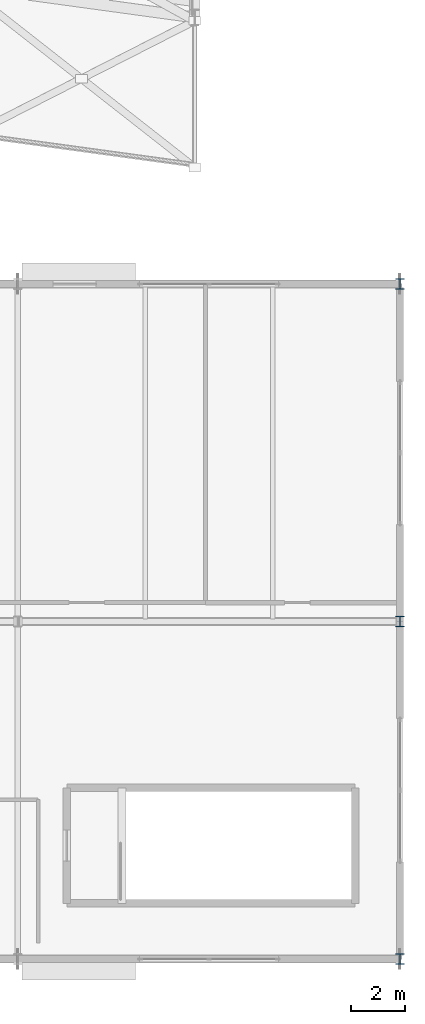
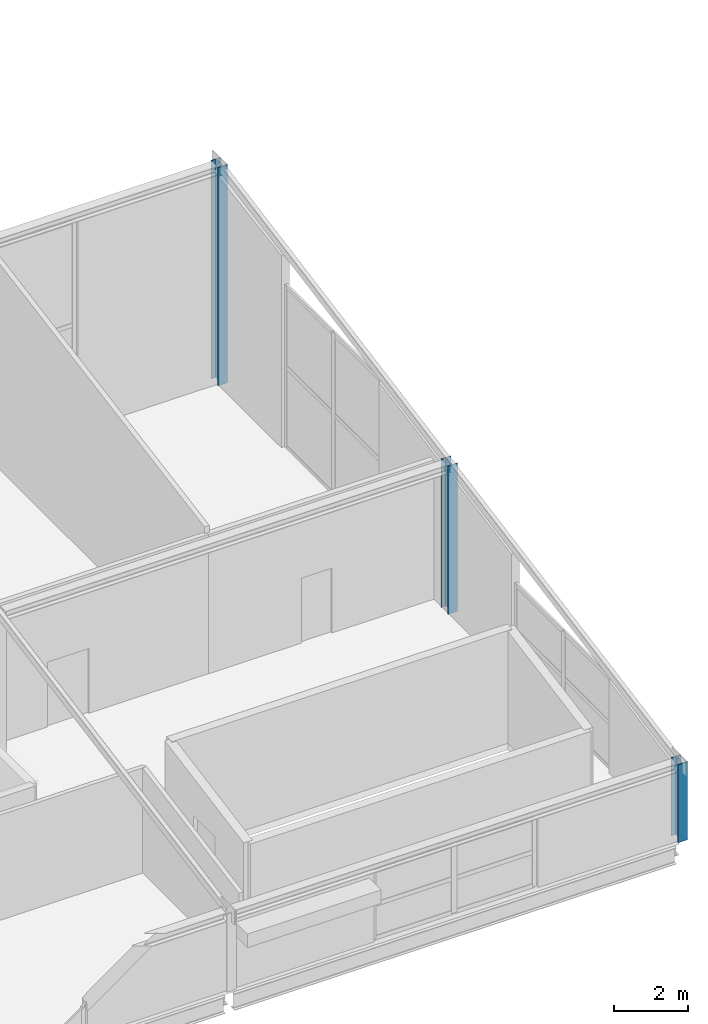
# One storey, part 7 of 100: 3 columns.
"""IFC4 building model written with IfcOpenShell, lengths in metres."""

from ifc_helpers import new_model, si_unit, direction, frame, origin, origin_2d, place, context, subcontext, project, spatial, i_section, extrude, material, material_profile, profile_set, type_object, element, save


model = new_model("IFC4")

# Units and contexts
model_context = context("Model", 3, precision=1e-05, world=origin(), true_north=direction((0.0, 1.0)))
body_context = subcontext(model_context, "Body", "Model", "MODEL_VIEW")
ifc_project = project(units=[si_unit("LENGTHUNIT", "METRE"), si_unit("AREAUNIT", "SQUARE_METRE"), si_unit("VOLUMEUNIT", "CUBIC_METRE"), si_unit("PLANEANGLEUNIT", "RADIAN"), si_unit("MASSUNIT", "GRAM", prefix="KILO")], contexts=[model_context])

# Site, building, storey
site_placement = place(None, origin())
site = spatial("IfcSite", under=ifc_project, at=site_placement, CompositionType="ELEMENT")
building_placement = place(site_placement, origin())
building = spatial("IfcBuilding", under=site, at=building_placement, Name="Kimbaza Rail Terminus", CompositionType="ELEMENT")
storey_placement = place(building_placement, frame((0.0, 0.0, 10.800048828125)))
storey = spatial("IfcBuildingStorey", under=building, at=storey_placement, Name="L02", CompositionType="ELEMENT", Elevation=10.800048828125)

# Columns
ifc_material = material(Name="Steel S355", Category="steel")
ifc_material_profile = material_profile(ifc_material, i_section(OverallWidth=0.300048828125, OverallDepth=0.39990234375, WebThickness=0.013427734375, FlangeThickness=0.02392578125, FilletRadius=0.027099609375, at=origin_2d()), Name="HEB 400")
ifc_profile_set = profile_set([ifc_material_profile], Name="Steel S355")
column_type = type_object("IfcColumnType", Name="STR-COL-HEB400", PredefinedType="COLUMN", material=ifc_profile_set)
column_1_placement = place(storey_placement, frame((214.0, 13.0, 0.0), z_axis=(0.0, 0.0, 1.0), x_axis=(1.0, 0.0, 0.0)))
element("IfcColumn", 1, at=column_1_placement, inside=storey, type_object=column_type, Name="Retail Pavilion Column L02 (4,0)", PredefinedType="COLUMN", context=body_context, shape_type="SweptSolid", body=[
    extrude(i_section(OverallWidth=0.300048828125, OverallDepth=0.39990234375, WebThickness=0.013427734375, FlangeThickness=0.02392578125, FilletRadius=0.027099609375, at=origin_2d()), origin(), (0.0, 0.0, 1.0), 2.58984375),
])
column_2_placement = place(storey_placement, frame((214.0, 25.5, 0.0), z_axis=(0.0, 0.0, 1.0), x_axis=(1.0, 0.0, 0.0)))
element("IfcColumn", 2, at=column_2_placement, inside=storey, type_object=column_type, Name="Retail Pavilion Column L02 (4,1)", PredefinedType="COLUMN", context=body_context, shape_type="SweptSolid", body=[
    extrude(i_section(OverallWidth=0.300048828125, OverallDepth=0.39990234375, WebThickness=0.013427734375, FlangeThickness=0.02392578125, FilletRadius=0.027099609375, at=origin_2d()), origin(), (0.0, 0.0, 1.0), 4.9150390625),
])
column_3_placement = place(storey_placement, frame((214.0, 38.0, 0.0), z_axis=(0.0, 0.0, 1.0), x_axis=(1.0, 0.0, 0.0)))
element("IfcColumn", 3, at=column_3_placement, inside=storey, type_object=column_type, Name="Retail Pavilion Column L02 (4,2)", PredefinedType="COLUMN", context=body_context, shape_type="SweptSolid", body=[
    extrude(i_section(OverallWidth=0.300048828125, OverallDepth=0.39990234375, WebThickness=0.013427734375, FlangeThickness=0.02392578125, FilletRadius=0.027099609375, at=origin_2d()), origin(), (0.0, 0.0, 1.0), 7.239990234375),
])

save(model, "model.ifc")
